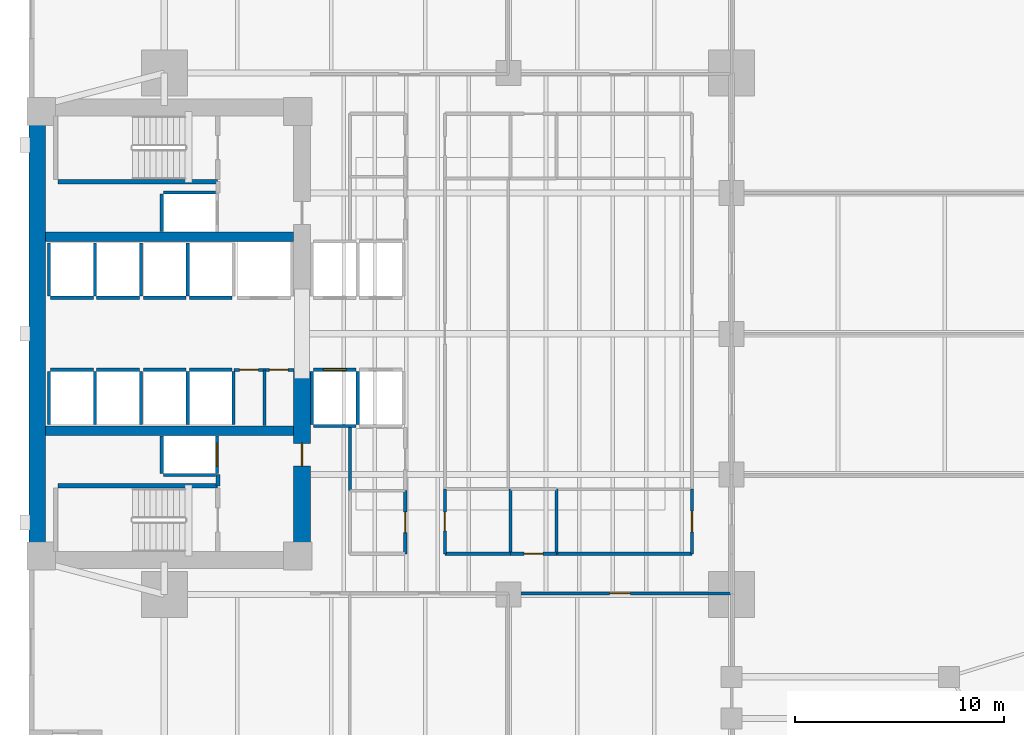
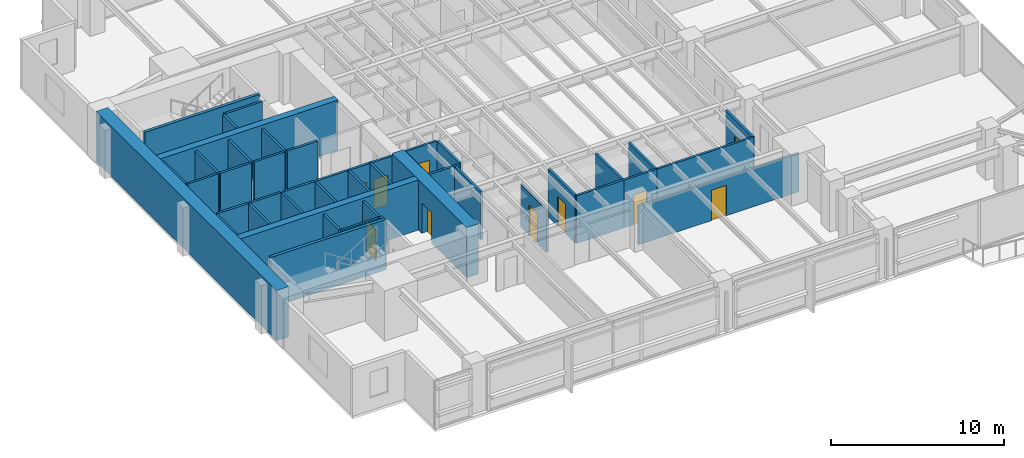
# One storey, part 8 of 15: 45 walls, 10 doors, 10 openings.
"""IFC4 building model written with IfcOpenShell, lengths in metres."""

from ifc_helpers import new_model, si_unit, direction, frame, frame_2d, origin, place, context, subcontext, project, spatial, rectangle, extrude, material, layer, layer_set, type_object, element, fill, save


model = new_model("IFC4")

# Units and contexts
model_context = context("Model", 3, precision=1e-05, world=origin(), true_north=direction((0.0, 1.0)))
body_context = subcontext(model_context, "Body", "Model", "MODEL_VIEW")
ifc_project = project(units=[si_unit("LENGTHUNIT", "METRE"), si_unit("AREAUNIT", "SQUARE_METRE"), si_unit("VOLUMEUNIT", "CUBIC_METRE"), si_unit("PLANEANGLEUNIT", "RADIAN"), si_unit("MASSUNIT", "GRAM", prefix="KILO")], contexts=[model_context])

# Site, building, storey
site_placement = place(None, origin())
site = spatial("IfcSite", under=ifc_project, at=site_placement, CompositionType="ELEMENT")
building_placement = place(site_placement, origin())
building = spatial("IfcBuilding", under=site, at=building_placement, Name="Kinhvarn Gate Tower", CompositionType="ELEMENT")
storey_placement = place(building_placement, frame((0.0, 0.0, 29.14990234375)))
storey = spatial("IfcBuildingStorey", under=building, at=storey_placement, Name="L06", CompositionType="ELEMENT", Elevation=29.14990234375)

# Walls
ifc_material_1 = material(Name="Concrete C50/60", Category="concrete")
ifc_layer_1 = layer(ifc_material_1, 0.449951171875)
ifc_layer_set_1 = layer_set([ifc_layer_1], Name="Concrete C50/60")
wall_type_1 = type_object("IfcWallType", Name="WL-CORE-450", PredefinedType="SHEAR", material=ifc_layer_set_1)
for number, where, z_axis, x_axis, name in (
    (1, (5.300048828125, 20.60009765625, 0.0), (0.0, 0.0, 1.0), (1.0, 0.0, 0.0), "Core South Spine Shear Wall L06 450 mm"),
    (2, (5.300048828125, 29.89990234375, 0.0), (0.0, 0.0, 1.0), (1.0, 0.0, 0.0), "Core North Spine Shear Wall L06 450 mm"),
):
    element("IfcWall", number, at=place(storey_placement, frame(where, z_axis=z_axis, x_axis=x_axis)), inside=storey, type_object=wall_type_1, Name=name, PredefinedType="SHEAR", context=body_context, shape_type="SweptSolid", body=[
        extrude(rectangle(XDim=11.89990234375, YDim=0.449951171875, at=frame_2d((5.949951171875, 0.0))), origin(), (0.0, 0.0, 1.0), 3.550048828125),
    ])

# Wall, opening, door
ifc_material_2 = material(Name="Concrete C70/85", Category="concrete")
ifc_layer_2 = layer(ifc_material_2, 0.800048828125)
ifc_layer_set_2 = layer_set([ifc_layer_2], Name="Concrete C70/85")
wall_type_2 = type_object("IfcWallType", Name="WL-CORE-800", PredefinedType="SHEAR", material=ifc_layer_set_2)
wall_1_placement = place(storey_placement, frame((17.60009765625, 14.800048828125, 0.0), z_axis=(0.0, 0.0, 1.0), x_axis=(0.0, 1.0, 0.0)))
wall_1 = element("IfcWall", 3, at=wall_1_placement, inside=storey, type_object=wall_type_2, Name="Core East-South Shear Pier L06 800 mm", PredefinedType="SHEAR", context=body_context, shape_type="SweptSolid", body=[
    extrude(rectangle(XDim=8.64990234375, YDim=0.800048828125, at=frame_2d((4.324951171875, 0.0))), origin(), (0.0, 0.0, 1.0), 3.550048828125),
])
opening_1_placement = place(wall_1_placement, frame((4.10009765625, 0.0, 0.0)))
opening_1 = element("IfcOpeningElement", 4, at=opening_1_placement, cuts=wall_1, Name="Opening FD-02", PredefinedType="OPENING", context=body_context, shape_type="SweptSolid", body=[
    extrude(rectangle(XDim=1.10009765625, YDim=2.14990234375, at=frame_2d((0.550048828125, 1.074951171875))), frame((0.0, 0.41015625, 0.0), z_axis=(0.0, -1.0, 0.0), x_axis=(1.0, 0.0, 0.0)), (0.0, 0.0, 1.0), 0.820068359375),
])
ifc_material_3 = material(Name="Anodised aluminium AW-6063", Category="aluminium")
door_type_1 = type_object("IfcDoorType", Name="DR-FD-1100", OperationType="NOTDEFINED", PredefinedType="DOOR", material=ifc_material_3)
door_1_placement = place(opening_1_placement, origin())
door_1 = element("IfcDoor", 5, at=door_1_placement, inside=storey, type_object=door_type_1, Name="Firefighting Lobby Core Door (L06)", OperationType="SINGLE_SWING_RIGHT", OverallHeight=2.14990234375, OverallWidth=1.10009765625, PredefinedType="DOOR", context=body_context, shape_type="SweptSolid", body=[
    extrude(rectangle(XDim=1.10009765625, YDim=2.14990234375, at=frame_2d((0.550048828125, 1.074951171875))), frame((0.0, 0.02490234375, 0.0), z_axis=(0.0, -1.0, 0.0), x_axis=(1.0, 0.0, 0.0)), (0.0, 0.0, 1.0), 0.050048828125),
])
fill(opening_1, door_1)

# Walls
ifc_layer_3 = layer(ifc_material_2, 0.800048828125)
ifc_layer_set_3 = layer_set([ifc_layer_3], Name="Concrete C70/85")
wall_type_3 = type_object("IfcWallType", Name="WL-COREX-800", PredefinedType="SHEAR", material=ifc_layer_set_3)
wall_2_placement = place(storey_placement, frame((4.89990234375, 14.800048828125, 0.0), z_axis=(0.0, 0.0, 1.0), x_axis=(0.0, 1.0, 0.0)))
element("IfcWall", 6, at=wall_2_placement, inside=storey, type_object=wall_type_3, Name="Core West Shear Wall L06 800 mm", PredefinedType="SHEAR", context=body_context, shape_type="SweptSolid", body=[
    extrude(rectangle(XDim=20.89990234375, YDim=0.800048828125, at=frame_2d((10.449951171875, 0.0))), origin(), (0.0, 0.0, 1.0), 3.550048828125),
])
ifc_material_4 = material(Name="Gypsum acoustic partition board")
ifc_layer_4 = layer(ifc_material_4, 0.14990234375)
ifc_layer_set_4 = layer_set([ifc_layer_4], Name="Gypsum acoustic partition board")
wall_type_4 = type_object("IfcWallType", Name="WL-PLM-150", PredefinedType="PLUMBINGWALL", material=ifc_layer_set_4)
for number, where, z_axis, x_axis, name in (
    (7, (27.60009765625, 14.699951171875, 0.0), (0.0, 0.0, 1.0), (0.0, 1.0, 0.0), "Interior Partition PLW-150 (L06)"),
    (8, (29.800048828125, 14.699951171875, 0.0), (0.0, 0.0, 1.0), (0.0, 1.0, 0.0), "Interior Partition PLW-150 (L06)"),
):
    element("IfcWall", number, at=place(storey_placement, frame(where, z_axis=z_axis, x_axis=x_axis)), inside=storey, type_object=wall_type_4, Name=name, PredefinedType="PLUMBINGWALL", context=body_context, shape_type="SweptSolid", body=[
        extrude(rectangle(XDim=3.10009765625, YDim=0.14990234375, at=frame_2d((1.550048828125, 0.0))), origin(), (0.0, 0.0, 1.0), 3.3701171875),
    ])

# Wall, opening, door
ifc_layer_5 = layer(ifc_material_4, 0.14990234375)
ifc_layer_set_5 = layer_set([ifc_layer_5], Name="Gypsum acoustic partition board")
wall_type_5 = type_object("IfcWallType", Name="WL-PLM-150F", PredefinedType="PLUMBINGWALL", material=ifc_layer_set_5)
wall_3_placement = place(storey_placement, frame((24.449951171875, 14.699951171875, 0.0), z_axis=(0.0, 0.0, 1.0), x_axis=(0.0, 1.0, 0.0)))
wall_3 = element("IfcWall", 9, at=wall_3_placement, inside=storey, type_object=wall_type_5, Name="Interior Partition PLW-150F (L06)", PredefinedType="PLUMBINGWALL", context=body_context, shape_type="SweptSolid", body=[
    extrude(rectangle(XDim=3.10009765625, YDim=0.14990234375, at=frame_2d((1.550048828125, 0.0))), origin(), (0.0, 0.0, 1.0), 3.3701171875),
])
opening_2_placement = place(wall_3_placement, frame((1.10009765625, 0.0, 0.0)))
opening_2 = element("IfcOpeningElement", 10, at=opening_2_placement, cuts=wall_3, Name="Opening FD-04", PredefinedType="OPENING", context=body_context, shape_type="SweptSolid", body=[
    extrude(rectangle(XDim=0.89990234375, YDim=2.10009765625, at=frame_2d((0.449951171875, 1.050048828125))), frame((0.0, 0.0849609375, 0.0), z_axis=(0.0, -1.0, 0.0), x_axis=(1.0, 0.0, 0.0)), (0.0, 0.0, 1.0), 0.169921875),
])
door_type_2 = type_object("IfcDoorType", Name="DR-FD-900", OperationType="NOTDEFINED", PredefinedType="DOOR", material=ifc_material_3)
door_2_placement = place(opening_2_placement, origin())
door_2 = element("IfcDoor", 11, at=door_2_placement, inside=storey, type_object=door_type_2, Name="Rated Riser & Service Closet Fire Door 900x2100 mm (L06)", OperationType="SINGLE_SWING_RIGHT", OverallHeight=2.10009765625, OverallWidth=0.89990234375, PredefinedType="DOOR", context=body_context, shape_type="SweptSolid", body=[
    extrude(rectangle(XDim=0.89990234375, YDim=2.10009765625, at=frame_2d((0.449951171875, 1.050048828125))), frame((0.0, 0.02490234375, 0.0), z_axis=(0.0, -1.0, 0.0), x_axis=(1.0, 0.0, 0.0)), (0.0, 0.0, 1.0), 0.050048828125),
])
fill(opening_2, door_2)

# Wall
wall_4_placement = place(storey_placement, frame((24.449951171875, 14.699951171875, 0.0), z_axis=(0.0, 0.0, 1.0), x_axis=(1.0, 0.0, 0.0)))
element("IfcWall", 12, at=wall_4_placement, inside=storey, type_object=wall_type_5, Name="Interior Partition PLW-150F (L06)", PredefinedType="PLUMBINGWALL", context=body_context, shape_type="SweptSolid", body=[
    extrude(rectangle(XDim=3.150146484375, YDim=0.14990234375, at=frame_2d((1.5751953125, 0.0))), origin(), (0.0, 0.0, 1.0), 3.3701171875),
])

# Wall, opening, door
wall_5_placement = place(storey_placement, frame((27.60009765625, 14.699951171875, 0.0), z_axis=(0.0, 0.0, 1.0), x_axis=(1.0, 0.0, 0.0)))
wall_5 = element("IfcWall", 13, at=wall_5_placement, inside=storey, type_object=wall_type_5, Name="Interior Partition PLW-150F (L06)", PredefinedType="PLUMBINGWALL", context=body_context, shape_type="SweptSolid", body=[
    extrude(rectangle(XDim=2.199951171875, YDim=0.14990234375, at=frame_2d((1.10009765625, 0.0))), origin(), (0.0, 0.0, 1.0), 3.3701171875),
])
opening_3_placement = place(wall_5_placement, frame((0.64990234375, 0.0, 0.0)))
opening_3 = element("IfcOpeningElement", 14, at=opening_3_placement, cuts=wall_5, Name="Opening FD-04", PredefinedType="OPENING", context=body_context, shape_type="SweptSolid", body=[
    extrude(rectangle(XDim=0.89990234375, YDim=2.10009765625, at=frame_2d((0.449951171875, 1.050048828125))), frame((0.0, 0.0849609375, 0.0), z_axis=(0.0, -1.0, 0.0), x_axis=(1.0, 0.0, 0.0)), (0.0, 0.0, 1.0), 0.169921875),
])
door_3_placement = place(opening_3_placement, origin())
door_3 = element("IfcDoor", 15, at=door_3_placement, inside=storey, type_object=door_type_2, Name="Rated Riser & Service Closet Fire Door 900x2100 mm (L06)", OperationType="SINGLE_SWING_LEFT", OverallHeight=2.10009765625, OverallWidth=0.89990234375, PredefinedType="DOOR", context=body_context, shape_type="SweptSolid", body=[
    extrude(rectangle(XDim=0.89990234375, YDim=2.10009765625, at=frame_2d((0.449951171875, 1.050048828125))), frame((0.0, 0.02490234375, 0.0), z_axis=(0.0, -1.0, 0.0), x_axis=(1.0, 0.0, 0.0)), (0.0, 0.0, 1.0), 0.050048828125),
])
fill(opening_3, door_3)

# Wall
ifc_layer_6 = layer(ifc_material_4, 0.14990234375)
ifc_layer_set_6 = layer_set([ifc_layer_6], Name="Gypsum acoustic partition board")
wall_type_6 = type_object("IfcWallType", Name="WL-PRT-150F", PredefinedType="PARTITIONING", material=ifc_layer_set_6)
wall_6_placement = place(storey_placement, frame((15.800048828125, 20.85009765625, 0.0), z_axis=(0.0, 0.0, 1.0), x_axis=(0.0, 1.0, 0.0)))
element("IfcWall", 16, at=wall_6_placement, inside=storey, type_object=wall_type_6, Name="Interior Partition PW-150F (L06)", PredefinedType="PARTITIONING", context=body_context, shape_type="SweptSolid", body=[
    extrude(rectangle(XDim=2.669921875, YDim=0.14990234375, at=frame_2d((1.3349609375, 0.0))), origin(), (0.0, 0.0, 1.0), 3.3701171875),
])

# Wall, openings, doors
wall_7_placement = place(storey_placement, frame((14.330078125, 23.52001953125, 0.0), z_axis=(0.0, 0.0, 1.0), x_axis=(1.0, 0.0, 0.0)))
wall_7 = element("IfcWall", 17, at=wall_7_placement, inside=storey, type_object=wall_type_6, Name="Interior Partition PW-150F (L06)", PredefinedType="PARTITIONING", context=body_context, shape_type="SweptSolid", body=[
    extrude(rectangle(XDim=2.889892578125, YDim=0.14990234375, at=frame_2d((1.44482421875, 0.0))), origin(), (0.0, 0.0, 1.0), 3.3701171875),
])
opening_4_placement = place(wall_7_placement, frame((0.280029296875, 0.0, 0.0)))
opening_4 = element("IfcOpeningElement", 18, at=opening_4_placement, cuts=wall_7, Name="Opening FD-04", PredefinedType="OPENING", context=body_context, shape_type="SweptSolid", body=[
    extrude(rectangle(XDim=0.89990234375, YDim=2.10009765625, at=frame_2d((0.449951171875, 1.050048828125))), frame((0.0, 0.0849609375, 0.0), z_axis=(0.0, -1.0, 0.0), x_axis=(1.0, 0.0, 0.0)), (0.0, 0.0, 1.0), 0.169921875),
])
opening_5_placement = place(wall_7_placement, frame((1.7099609375, 0.0, 0.0)))
opening_5 = element("IfcOpeningElement", 19, at=opening_5_placement, cuts=wall_7, Name="Opening FD-04", PredefinedType="OPENING", context=body_context, shape_type="SweptSolid", body=[
    extrude(rectangle(XDim=0.89990234375, YDim=2.10009765625, at=frame_2d((0.449951171875, 1.050048828125))), frame((0.0, 0.0849609375, 0.0), z_axis=(0.0, -1.0, 0.0), x_axis=(1.0, 0.0, 0.0)), (0.0, 0.0, 1.0), 0.169921875),
])
door_4_placement = place(opening_4_placement, origin())
door_4 = element("IfcDoor", 20, at=door_4_placement, inside=storey, type_object=door_type_2, Name="Rated Riser & Service Closet Fire Door 900x2100 mm (L06)", OperationType="SINGLE_SWING_RIGHT", OverallHeight=2.10009765625, OverallWidth=0.89990234375, PredefinedType="DOOR", context=body_context, shape_type="SweptSolid", body=[
    extrude(rectangle(XDim=0.89990234375, YDim=2.10009765625, at=frame_2d((0.449951171875, 1.050048828125))), frame((0.0, 0.02490234375, 0.0), z_axis=(0.0, -1.0, 0.0), x_axis=(1.0, 0.0, 0.0)), (0.0, 0.0, 1.0), 0.050048828125),
])
fill(opening_4, door_4)
door_5_placement = place(opening_5_placement, origin())
door_5 = element("IfcDoor", 21, at=door_5_placement, inside=storey, type_object=door_type_2, Name="Rated Riser & Service Closet Fire Door 900x2100 mm (L06)", OperationType="SINGLE_SWING_LEFT", OverallHeight=2.10009765625, OverallWidth=0.89990234375, PredefinedType="DOOR", context=body_context, shape_type="SweptSolid", body=[
    extrude(rectangle(XDim=0.89990234375, YDim=2.10009765625, at=frame_2d((0.449951171875, 1.050048828125))), frame((0.0, 0.02490234375, 0.0), z_axis=(0.0, -1.0, 0.0), x_axis=(1.0, 0.0, 0.0)), (0.0, 0.0, 1.0), 0.050048828125),
])
fill(opening_5, door_5)

# Wall, opening, door
wall_8_placement = place(storey_placement, frame((22.550048828125, 14.699951171875, 0.0), z_axis=(0.0, 0.0, 1.0), x_axis=(0.0, 1.0, 0.0)))
wall_8 = element("IfcWall", 22, at=wall_8_placement, inside=storey, type_object=wall_type_6, Name="Interior Partition PW-150F (L06)", PredefinedType="PARTITIONING", context=body_context, shape_type="SweptSolid", body=[
    extrude(rectangle(XDim=3.030029296875, YDim=0.14990234375, at=frame_2d((1.51513671875, 0.0))), origin(), (0.0, 0.0, 1.0), 3.010009765625),
])
opening_6_placement = place(wall_8_placement, frame((1.014892578125, 0.0, 0.0)))
opening_6 = element("IfcOpeningElement", 23, at=opening_6_placement, cuts=wall_8, Name="Opening ID-02", PredefinedType="OPENING", context=body_context, shape_type="SweptSolid", body=[
    extrude(rectangle(XDim=1.0, YDim=2.14990234375, at=frame_2d((0.5, 1.074951171875))), frame((0.0, 0.0849609375, 0.0), z_axis=(0.0, -1.0, 0.0), x_axis=(1.0, 0.0, 0.0)), (0.0, 0.0, 1.0), 0.169921875),
])
door_type_3 = type_object("IfcDoorType", Name="DR-INT-1000", OperationType="NOTDEFINED", PredefinedType="DOOR", material=ifc_material_3)
door_6_placement = place(opening_6_placement, origin())
door_6 = element("IfcDoor", 24, at=door_6_placement, inside=storey, type_object=door_type_3, Name="Standard Office & Meeting Room Door 1000x2150 mm (L06)", OperationType="SINGLE_SWING_RIGHT", OverallHeight=2.14990234375, OverallWidth=1.0, PredefinedType="DOOR", context=body_context, shape_type="SweptSolid", body=[
    extrude(rectangle(XDim=1.0, YDim=2.14990234375, at=frame_2d((0.5, 1.074951171875))), frame((0.0, 0.02490234375, 0.0), z_axis=(0.0, -1.0, 0.0), x_axis=(1.0, 0.0, 0.0)), (0.0, 0.0, 1.0), 0.050048828125),
])
fill(opening_6, door_6)

# Walls
wall_9_placement = place(storey_placement, frame((19.89990234375, 17.72998046875, 0.0), z_axis=(0.0, 0.0, 1.0), x_axis=(0.0, 1.0, 0.0)))
element("IfcWall", 25, at=wall_9_placement, inside=storey, type_object=wall_type_6, Name="Interior Partition PW-150F (L06)", PredefinedType="PARTITIONING", context=body_context, shape_type="SweptSolid", body=[
    extrude(rectangle(XDim=3.02001953125, YDim=0.14990234375, at=frame_2d((1.510009765625, 0.0))), origin(), (0.0, 0.0, 1.0), 3.3701171875),
])
wall_10_placement = place(storey_placement, frame((29.800048828125, 14.699951171875, 0.0), z_axis=(0.0, 0.0, 1.0), x_axis=(1.0, 0.0, 0.0)))
element("IfcWall", 26, at=wall_10_placement, inside=storey, type_object=wall_type_6, Name="Interior Partition PW-150F (L06)", PredefinedType="PARTITIONING", context=body_context, shape_type="SweptSolid", body=[
    extrude(rectangle(XDim=6.5, YDim=0.14990234375, at=frame_2d((3.25, 0.0))), origin(), (0.0, 0.0, 1.0), 3.3701171875),
])

# Wall, opening, door
wall_11_placement = place(storey_placement, frame((27.5, 12.800048828125, 0.0), z_axis=(0.0, 0.0, 1.0), x_axis=(1.0, 0.0, 0.0)))
wall_11 = element("IfcWall", 27, at=wall_11_placement, inside=storey, type_object=wall_type_6, Name="Interior Partition PW-150F (L06)", PredefinedType="PARTITIONING", context=body_context, shape_type="SweptSolid", body=[
    extrude(rectangle(XDim=10.699951171875, YDim=0.14990234375, at=frame_2d((5.35009765625, 0.0))), origin(), (0.0, 0.0, 1.0), 2.72021484375),
])
opening_7_placement = place(wall_11_placement, frame((4.85009765625, 0.0, 0.0)))
opening_7 = element("IfcOpeningElement", 28, at=opening_7_placement, cuts=wall_11, Name="Opening ID-02", PredefinedType="OPENING", context=body_context, shape_type="SweptSolid", body=[
    extrude(rectangle(XDim=1.0, YDim=2.14990234375, at=frame_2d((0.5, 1.074951171875))), frame((0.0, 0.0849609375, 0.0), z_axis=(0.0, -1.0, 0.0), x_axis=(1.0, 0.0, 0.0)), (0.0, 0.0, 1.0), 0.169921875),
])
door_7_placement = place(opening_7_placement, origin())
door_7 = element("IfcDoor", 29, at=door_7_placement, inside=storey, type_object=door_type_3, Name="Standard Office & Meeting Room Door 1000x2150 mm (L06)", OperationType="SINGLE_SWING_RIGHT", OverallHeight=2.14990234375, OverallWidth=1.0, PredefinedType="DOOR", context=body_context, shape_type="SweptSolid", body=[
    extrude(rectangle(XDim=1.0, YDim=2.14990234375, at=frame_2d((0.5, 1.074951171875))), frame((0.0, 0.02490234375, 0.0), z_axis=(0.0, -1.0, 0.0), x_axis=(1.0, 0.0, 0.0)), (0.0, 0.0, 1.0), 0.050048828125),
])
fill(opening_7, door_7)

wall_12_placement = place(storey_placement, frame((36.300048828125, 14.699951171875, 0.0), z_axis=(0.0, 0.0, 1.0), x_axis=(0.0, 1.0, 0.0)))
wall_12 = element("IfcWall", 30, at=wall_12_placement, inside=storey, type_object=wall_type_6, Name="Interior Partition PW-150F (L06)", PredefinedType="PARTITIONING", context=body_context, shape_type="SweptSolid", body=[
    extrude(rectangle(XDim=3.10009765625, YDim=0.14990234375, at=frame_2d((1.550048828125, 0.0))), origin(), (0.0, 0.0, 1.0), 3.3701171875),
])
opening_8_placement = place(wall_12_placement, frame((1.050048828125, 0.0, 0.0)))
opening_8 = element("IfcOpeningElement", 31, at=opening_8_placement, cuts=wall_12, Name="Opening ID-02", PredefinedType="OPENING", context=body_context, shape_type="SweptSolid", body=[
    extrude(rectangle(XDim=1.0, YDim=2.14990234375, at=frame_2d((0.5, 1.074951171875))), frame((0.0, 0.0849609375, 0.0), z_axis=(0.0, -1.0, 0.0), x_axis=(1.0, 0.0, 0.0)), (0.0, 0.0, 1.0), 0.169921875),
])
door_8_placement = place(opening_8_placement, origin())
door_8 = element("IfcDoor", 32, at=door_8_placement, inside=storey, type_object=door_type_3, Name="Standard Office & Meeting Room Door 1000x2150 mm (L06)", OperationType="SINGLE_SWING_RIGHT", OverallHeight=2.14990234375, OverallWidth=1.0, PredefinedType="DOOR", context=body_context, shape_type="SweptSolid", body=[
    extrude(rectangle(XDim=1.0, YDim=2.14990234375, at=frame_2d((0.5, 1.074951171875))), frame((0.0, 0.02490234375, 0.0), z_axis=(0.0, -1.0, 0.0), x_axis=(1.0, 0.0, 0.0)), (0.0, 0.0, 1.0), 0.050048828125),
])
fill(opening_8, door_8)

# Walls
ifc_layer_7 = layer(ifc_material_4, 0.199951171875)
ifc_layer_set_7 = layer_set([ifc_layer_7], Name="Gypsum acoustic partition board")
wall_type_7 = type_object("IfcWallType", Name="WL-PRT-200", PredefinedType="PARTITIONING", material=ifc_layer_set_7)
wall_13_placement = place(storey_placement, frame((13.580078125, 17.9599609375, 0.0), z_axis=(0.0, 0.0, 1.0), x_axis=(0.0, 1.0, 0.0)))
element("IfcWall", 33, at=wall_13_placement, inside=storey, type_object=wall_type_7, Name="Interior Partition PW-200 (L06)", PredefinedType="PARTITIONING", context=body_context, shape_type="SweptSolid", body=[
    extrude(rectangle(XDim=0.5400390625, YDim=0.199951171875, at=frame_2d((0.27001953125, 0.0))), origin(), (0.0, 0.0, 1.0), 3.3701171875),
])
ifc_layer_8 = layer(ifc_material_4, 0.14990234375)
ifc_layer_set_8 = layer_set([ifc_layer_8], Name="Gypsum acoustic partition board")
wall_type_8 = type_object("IfcWallType", Name="WL-SHF-150", PredefinedType="PARTITIONING", material=ifc_layer_set_8)
wall_14_placement = place(storey_placement, frame((18.14990234375, 20.824951171875, 0.0), z_axis=(0.0, 0.0, 1.0), x_axis=(1.0, 0.0, 0.0)))
element("IfcWall", 34, at=wall_14_placement, inside=storey, type_object=wall_type_8, Name="Elevator PL-01 Hoistway Wall S (L06)", PredefinedType="PARTITIONING", context=body_context, shape_type="SweptSolid", body=[
    extrude(rectangle(XDim=2.050048828125, YDim=0.14990234375, at=frame_2d((1.02490234375, 0.0))), origin(), (0.0, 0.0, 1.0), 3.3701171875),
])

# Wall, opening, door
wall_15_placement = place(storey_placement, frame((18.14990234375, 23.52490234375, 0.0), z_axis=(0.0, 0.0, 1.0), x_axis=(1.0, 0.0, 0.0)))
wall_15 = element("IfcWall", 35, at=wall_15_placement, inside=storey, type_object=wall_type_8, Name="Elevator PL-01 Landing Wall (L06)", PredefinedType="PARTITIONING", context=body_context, shape_type="SweptSolid", body=[
    extrude(rectangle(XDim=2.050048828125, YDim=0.14990234375, at=frame_2d((1.02490234375, 0.0))), origin(), (0.0, 0.0, 1.0), 3.3701171875),
])
opening_9_placement = place(wall_15_placement, frame((0.47509765625, 0.0, 0.0)))
opening_9 = element("IfcOpeningElement", 36, at=opening_9_placement, cuts=wall_15, Name="Opening LD-01", PredefinedType="OPENING", context=body_context, shape_type="SweptSolid", body=[
    extrude(rectangle(XDim=1.10009765625, YDim=2.199951171875, at=frame_2d((0.550048828125, 1.10009765625))), frame((0.0, 0.0849609375, 0.0), z_axis=(0.0, -1.0, 0.0), x_axis=(1.0, 0.0, 0.0)), (0.0, 0.0, 1.0), 0.169921875),
])
door_type_4 = type_object("IfcDoorType", Name="DR-LND-PAS", OperationType="NOTDEFINED", PredefinedType="DOOR", material=ifc_material_3)
door_9_placement = place(opening_9_placement, origin())
door_9 = element("IfcDoor", 37, at=door_9_placement, inside=storey, type_object=door_type_4, Name="Elevator PL-01 Sliding Landing Door (L06)", OperationType="DOUBLE_DOOR_SLIDING", OverallHeight=2.199951171875, OverallWidth=1.10009765625, PredefinedType="DOOR", context=body_context, shape_type="SweptSolid", body=[
    extrude(rectangle(XDim=1.10009765625, YDim=2.199951171875, at=frame_2d((0.550048828125, 1.10009765625))), frame((0.0, 0.02490234375, 0.0), z_axis=(0.0, -1.0, 0.0), x_axis=(1.0, 0.0, 0.0)), (0.0, 0.0, 1.0), 0.050048828125),
])
fill(opening_9, door_9)

# Walls
for number, where, z_axis, x_axis, name in (
    (38, (18.074951171875, 20.89990234375, 0.0), (0.0, 0.0, 1.0), (0.0, 1.0, 0.0), "Elevator PL-01 Hoistway Wall W (L06)"),
    (39, (20.27490234375, 20.89990234375, 0.0), (0.0, 0.0, 1.0), (0.0, 1.0, 0.0), "Elevator PL-01 Hoistway Wall E (L06)"),
):
    element("IfcWall", number, at=place(storey_placement, frame(where, z_axis=z_axis, x_axis=x_axis)), inside=storey, type_object=wall_type_8, Name=name, PredefinedType="PARTITIONING", context=body_context, shape_type="SweptSolid", body=[
        extrude(rectangle(XDim=2.550048828125, YDim=0.14990234375, at=frame_2d((1.27490234375, 0.0))), origin(), (0.0, 0.0, 1.0), 3.3701171875),
    ])
wall_16_placement = place(storey_placement, frame((5.550048828125, 23.52490234375, 0.0), z_axis=(0.0, 0.0, 1.0), x_axis=(1.0, 0.0, 0.0)))
element("IfcWall", 40, at=wall_16_placement, inside=storey, type_object=wall_type_8, Name="Elevator PM-05 Landing Wall (L06)", PredefinedType="PARTITIONING", context=body_context, shape_type="SweptSolid", body=[
    extrude(rectangle(XDim=2.050048828125, YDim=0.14990234375, at=frame_2d((1.02490234375, 0.0))), origin(), (0.0, 0.0, 1.0), 3.3701171875),
])
for number, where, z_axis, x_axis, name in (
    (41, (5.47509765625, 20.89990234375, 0.0), (0.0, 0.0, 1.0), (0.0, 1.0, 0.0), "Elevator PM-05 Hoistway Wall W (L06)"),
    (42, (7.675048828125, 20.89990234375, 0.0), (0.0, 0.0, 1.0), (0.0, 1.0, 0.0), "Elevator PM-05 Hoistway Wall E (L06)"),
):
    element("IfcWall", number, at=place(storey_placement, frame(where, z_axis=z_axis, x_axis=x_axis)), inside=storey, type_object=wall_type_8, Name=name, PredefinedType="PARTITIONING", context=body_context, shape_type="SweptSolid", body=[
        extrude(rectangle(XDim=2.550048828125, YDim=0.14990234375, at=frame_2d((1.27490234375, 0.0))), origin(), (0.0, 0.0, 1.0), 3.3701171875),
    ])
wall_17_placement = place(storey_placement, frame((7.75, 23.52490234375, 0.0), z_axis=(0.0, 0.0, 1.0), x_axis=(1.0, 0.0, 0.0)))
element("IfcWall", 43, at=wall_17_placement, inside=storey, type_object=wall_type_8, Name="Elevator PM-06 Landing Wall (L06)", PredefinedType="PARTITIONING", context=body_context, shape_type="SweptSolid", body=[
    extrude(rectangle(XDim=2.050048828125, YDim=0.14990234375, at=frame_2d((1.02490234375, 0.0))), origin(), (0.0, 0.0, 1.0), 3.3701171875),
])
wall_18_placement = place(storey_placement, frame((9.875, 20.89990234375, 0.0), z_axis=(0.0, 0.0, 1.0), x_axis=(0.0, 1.0, 0.0)))
element("IfcWall", 44, at=wall_18_placement, inside=storey, type_object=wall_type_8, Name="Elevator PM-06 Hoistway Wall E (L06)", PredefinedType="PARTITIONING", context=body_context, shape_type="SweptSolid", body=[
    extrude(rectangle(XDim=2.550048828125, YDim=0.14990234375, at=frame_2d((1.27490234375, 0.0))), origin(), (0.0, 0.0, 1.0), 3.3701171875),
])
wall_19_placement = place(storey_placement, frame((5.550048828125, 26.97509765625, 0.0), z_axis=(0.0, 0.0, 1.0), x_axis=(1.0, 0.0, 0.0)))
element("IfcWall", 45, at=wall_19_placement, inside=storey, type_object=wall_type_8, Name="Elevator PM-07 Landing Wall (L06)", PredefinedType="PARTITIONING", context=body_context, shape_type="SweptSolid", body=[
    extrude(rectangle(XDim=2.050048828125, YDim=0.14990234375, at=frame_2d((1.02490234375, 0.0))), origin(), (0.0, 0.0, 1.0), 3.3701171875),
])
for number, where, z_axis, x_axis, name in (
    (46, (5.47509765625, 27.050048828125, 0.0), (0.0, 0.0, 1.0), (0.0, 1.0, 0.0), "Elevator PM-07 Hoistway Wall W (L06)"),
    (47, (7.675048828125, 27.050048828125, 0.0), (0.0, 0.0, 1.0), (0.0, 1.0, 0.0), "Elevator PM-07 Hoistway Wall E (L06)"),
):
    element("IfcWall", number, at=place(storey_placement, frame(where, z_axis=z_axis, x_axis=x_axis)), inside=storey, type_object=wall_type_8, Name=name, PredefinedType="PARTITIONING", context=body_context, shape_type="SweptSolid", body=[
        extrude(rectangle(XDim=2.550048828125, YDim=0.14990234375, at=frame_2d((1.27490234375, 0.0))), origin(), (0.0, 0.0, 1.0), 3.3701171875),
    ])
wall_20_placement = place(storey_placement, frame((7.75, 26.97509765625, 0.0), z_axis=(0.0, 0.0, 1.0), x_axis=(1.0, 0.0, 0.0)))
element("IfcWall", 48, at=wall_20_placement, inside=storey, type_object=wall_type_8, Name="Elevator PM-08 Landing Wall (L06)", PredefinedType="PARTITIONING", context=body_context, shape_type="SweptSolid", body=[
    extrude(rectangle(XDim=2.050048828125, YDim=0.14990234375, at=frame_2d((1.02490234375, 0.0))), origin(), (0.0, 0.0, 1.0), 3.3701171875),
])
wall_21_placement = place(storey_placement, frame((9.875, 27.050048828125, 0.0), z_axis=(0.0, 0.0, 1.0), x_axis=(0.0, 1.0, 0.0)))
element("IfcWall", 49, at=wall_21_placement, inside=storey, type_object=wall_type_8, Name="Elevator PM-08 Hoistway Wall E (L06)", PredefinedType="PARTITIONING", context=body_context, shape_type="SweptSolid", body=[
    extrude(rectangle(XDim=2.550048828125, YDim=0.14990234375, at=frame_2d((1.27490234375, 0.0))), origin(), (0.0, 0.0, 1.0), 3.3701171875),
])
wall_22_placement = place(storey_placement, frame((10.0, 23.52490234375, 0.0), z_axis=(0.0, 0.0, 1.0), x_axis=(1.0, 0.0, 0.0)))
element("IfcWall", 50, at=wall_22_placement, inside=storey, type_object=wall_type_8, Name="Elevator PH-09 Landing Wall (L06)", PredefinedType="PARTITIONING", context=body_context, shape_type="SweptSolid", body=[
    extrude(rectangle(XDim=2.050048828125, YDim=0.14990234375, at=frame_2d((1.02490234375, 0.0))), origin(), (0.0, 0.0, 1.0), 3.3701171875),
])
wall_23_placement = place(storey_placement, frame((12.125, 20.89990234375, 0.0), z_axis=(0.0, 0.0, 1.0), x_axis=(0.0, 1.0, 0.0)))
element("IfcWall", 51, at=wall_23_placement, inside=storey, type_object=wall_type_8, Name="Elevator PH-09 Hoistway Wall E (L06)", PredefinedType="PARTITIONING", context=body_context, shape_type="SweptSolid", body=[
    extrude(rectangle(XDim=2.550048828125, YDim=0.14990234375, at=frame_2d((1.27490234375, 0.0))), origin(), (0.0, 0.0, 1.0), 3.3701171875),
])
wall_24_placement = place(storey_placement, frame((12.199951171875, 23.52490234375, 0.0), z_axis=(0.0, 0.0, 1.0), x_axis=(1.0, 0.0, 0.0)))
element("IfcWall", 52, at=wall_24_placement, inside=storey, type_object=wall_type_8, Name="Elevator PH-10 Landing Wall (L06)", PredefinedType="PARTITIONING", context=body_context, shape_type="SweptSolid", body=[
    extrude(rectangle(XDim=2.050048828125, YDim=0.14990234375, at=frame_2d((1.02490234375, 0.0))), origin(), (0.0, 0.0, 1.0), 3.3701171875),
])
wall_25_placement = place(storey_placement, frame((14.324951171875, 20.89990234375, 0.0), z_axis=(0.0, 0.0, 1.0), x_axis=(0.0, 1.0, 0.0)))
element("IfcWall", 53, at=wall_25_placement, inside=storey, type_object=wall_type_8, Name="Elevator PH-10 Hoistway Wall E (L06)", PredefinedType="PARTITIONING", context=body_context, shape_type="SweptSolid", body=[
    extrude(rectangle(XDim=2.550048828125, YDim=0.14990234375, at=frame_2d((1.27490234375, 0.0))), origin(), (0.0, 0.0, 1.0), 3.3701171875),
])
wall_26_placement = place(storey_placement, frame((10.0, 26.97509765625, 0.0), z_axis=(0.0, 0.0, 1.0), x_axis=(1.0, 0.0, 0.0)))
element("IfcWall", 54, at=wall_26_placement, inside=storey, type_object=wall_type_8, Name="Elevator PH-11 Landing Wall (L06)", PredefinedType="PARTITIONING", context=body_context, shape_type="SweptSolid", body=[
    extrude(rectangle(XDim=2.050048828125, YDim=0.14990234375, at=frame_2d((1.02490234375, 0.0))), origin(), (0.0, 0.0, 1.0), 3.3701171875),
])
wall_27_placement = place(storey_placement, frame((12.125, 27.050048828125, 0.0), z_axis=(0.0, 0.0, 1.0), x_axis=(0.0, 1.0, 0.0)))
element("IfcWall", 55, at=wall_27_placement, inside=storey, type_object=wall_type_8, Name="Elevator PH-11 Hoistway Wall E (L06)", PredefinedType="PARTITIONING", context=body_context, shape_type="SweptSolid", body=[
    extrude(rectangle(XDim=2.550048828125, YDim=0.14990234375, at=frame_2d((1.27490234375, 0.0))), origin(), (0.0, 0.0, 1.0), 3.3701171875),
])
wall_28_placement = place(storey_placement, frame((12.199951171875, 26.97509765625, 0.0), z_axis=(0.0, 0.0, 1.0), x_axis=(1.0, 0.0, 0.0)))
element("IfcWall", 56, at=wall_28_placement, inside=storey, type_object=wall_type_8, Name="Elevator PH-12 Landing Wall (L06)", PredefinedType="PARTITIONING", context=body_context, shape_type="SweptSolid", body=[
    extrude(rectangle(XDim=2.050048828125, YDim=0.14990234375, at=frame_2d((1.02490234375, 0.0))), origin(), (0.0, 0.0, 1.0), 3.3701171875),
])
wall_29_placement = place(storey_placement, frame((10.949951171875, 18.47509765625, 0.0), z_axis=(0.0, 0.0, 1.0), x_axis=(1.0, 0.0, 0.0)))
element("IfcWall", 57, at=wall_29_placement, inside=storey, type_object=wall_type_8, Name="Elevator FF1 Hoistway Wall S (L06)", PredefinedType="PARTITIONING", context=body_context, shape_type="SweptSolid", body=[
    extrude(rectangle(XDim=2.5, YDim=0.14990234375, at=frame_2d((1.25, 0.0))), origin(), (0.0, 0.0, 1.0), 3.3701171875),
])
wall_30_placement = place(storey_placement, frame((10.875, 18.550048828125, 0.0), z_axis=(0.0, 0.0, 1.0), x_axis=(0.0, 1.0, 0.0)))
element("IfcWall", 58, at=wall_30_placement, inside=storey, type_object=wall_type_8, Name="Elevator FF1 Hoistway Wall W (L06)", PredefinedType="PARTITIONING", context=body_context, shape_type="SweptSolid", body=[
    extrude(rectangle(XDim=1.800048828125, YDim=0.14990234375, at=frame_2d((0.89990234375, 0.0))), origin(), (0.0, 0.0, 1.0), 3.3701171875),
])

# Wall, opening, door
wall_31_placement = place(storey_placement, frame((13.52490234375, 18.550048828125, 0.0), z_axis=(0.0, 0.0, 1.0), x_axis=(0.0, 1.0, 0.0)))
wall_31 = element("IfcWall", 59, at=wall_31_placement, inside=storey, type_object=wall_type_8, Name="Elevator FF1 Landing Wall (L06)", PredefinedType="PARTITIONING", context=body_context, shape_type="SweptSolid", body=[
    extrude(rectangle(XDim=1.800048828125, YDim=0.14990234375, at=frame_2d((0.89990234375, 0.0))), origin(), (0.0, 0.0, 1.0), 3.3701171875),
])
opening_10_placement = place(wall_31_placement, frame((0.35009765625, 0.0, 0.0)))
opening_10 = element("IfcOpeningElement", 60, at=opening_10_placement, cuts=wall_31, Name="Opening LD-03", PredefinedType="OPENING", context=body_context, shape_type="SweptSolid", body=[
    extrude(rectangle(XDim=1.10009765625, YDim=2.199951171875, at=frame_2d((0.550048828125, 1.10009765625))), frame((0.0, 0.0849609375, 0.0), z_axis=(0.0, -1.0, 0.0), x_axis=(1.0, 0.0, 0.0)), (0.0, 0.0, 1.0), 0.169921875),
])
door_type_5 = type_object("IfcDoorType", Name="DR-LND-FF", OperationType="NOTDEFINED", PredefinedType="DOOR", material=ifc_material_3)
door_10_placement = place(opening_10_placement, origin())
door_10 = element("IfcDoor", 61, at=door_10_placement, inside=storey, type_object=door_type_5, Name="Elevator FF1 Sliding Landing Door (L06)", OperationType="DOUBLE_DOOR_SLIDING", OverallHeight=2.199951171875, OverallWidth=1.10009765625, PredefinedType="DOOR", context=body_context, shape_type="SweptSolid", body=[
    extrude(rectangle(XDim=1.10009765625, YDim=2.199951171875, at=frame_2d((0.550048828125, 1.10009765625))), frame((0.0, 0.02490234375, 0.0), z_axis=(0.0, -1.0, 0.0), x_axis=(1.0, 0.0, 0.0)), (0.0, 0.0, 1.0), 0.050048828125),
])
fill(opening_10, door_10)

# Walls
wall_32_placement = place(storey_placement, frame((10.949951171875, 32.02490234375, 0.0), z_axis=(0.0, 0.0, 1.0), x_axis=(1.0, 0.0, 0.0)))
element("IfcWall", 62, at=wall_32_placement, inside=storey, type_object=wall_type_8, Name="Elevator FF2 Hoistway Wall N (L06)", PredefinedType="PARTITIONING", context=body_context, shape_type="SweptSolid", body=[
    extrude(rectangle(XDim=2.5, YDim=0.14990234375, at=frame_2d((1.25, 0.0))), origin(), (0.0, 0.0, 1.0), 3.3701171875),
])
wall_33_placement = place(storey_placement, frame((10.875, 30.14990234375, 0.0), z_axis=(0.0, 0.0, 1.0), x_axis=(0.0, 1.0, 0.0)))
element("IfcWall", 63, at=wall_33_placement, inside=storey, type_object=wall_type_8, Name="Elevator FF2 Hoistway Wall W (L06)", PredefinedType="PARTITIONING", context=body_context, shape_type="SweptSolid", body=[
    extrude(rectangle(XDim=1.800048828125, YDim=0.14990234375, at=frame_2d((0.89990234375, 0.0))), origin(), (0.0, 0.0, 1.0), 3.3701171875),
])
ifc_material_5 = material(Name="Concrete C40/50", Category="concrete")
ifc_layer_9 = layer(ifc_material_5, 0.199951171875)
ifc_layer_set_9 = layer_set([ifc_layer_9], Name="Concrete C40/50")
wall_type_9 = type_object("IfcWallType", Name="WL-SHF-200", PredefinedType="SOLIDWALL", material=ifc_layer_set_9)
for number, where, z_axis, x_axis, name in (
    (64, (5.89990234375, 17.9599609375, 0.0), (0.0, 0.0, 1.0), (1.0, 0.0, 0.0), "Stair ST1 North Shaft Wall (L06)"),
    (65, (5.89990234375, 32.5400390625, 0.0), (0.0, 0.0, 1.0), (1.0, 0.0, 0.0), "Stair ST2 South Shaft Wall (L06)"),
):
    element("IfcWall", number, at=place(storey_placement, frame(where, z_axis=z_axis, x_axis=x_axis)), inside=storey, type_object=wall_type_9, Name=name, PredefinedType="SOLIDWALL", context=body_context, shape_type="SweptSolid", body=[
        extrude(rectangle(XDim=7.66015625, YDim=0.199951171875, at=frame_2d((3.830078125, 0.0))), origin(), (0.0, 0.0, 1.0), 3.550048828125),
    ])

save(model, "model.ifc")
